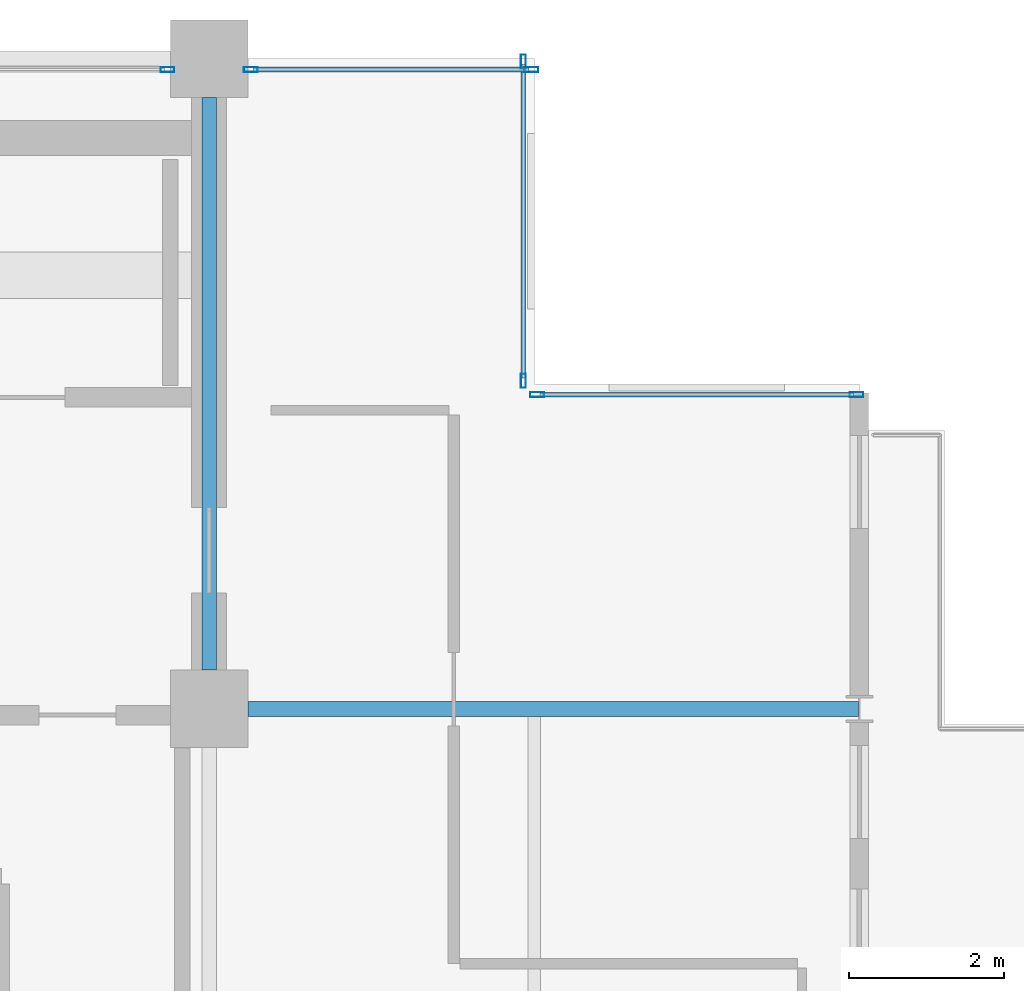
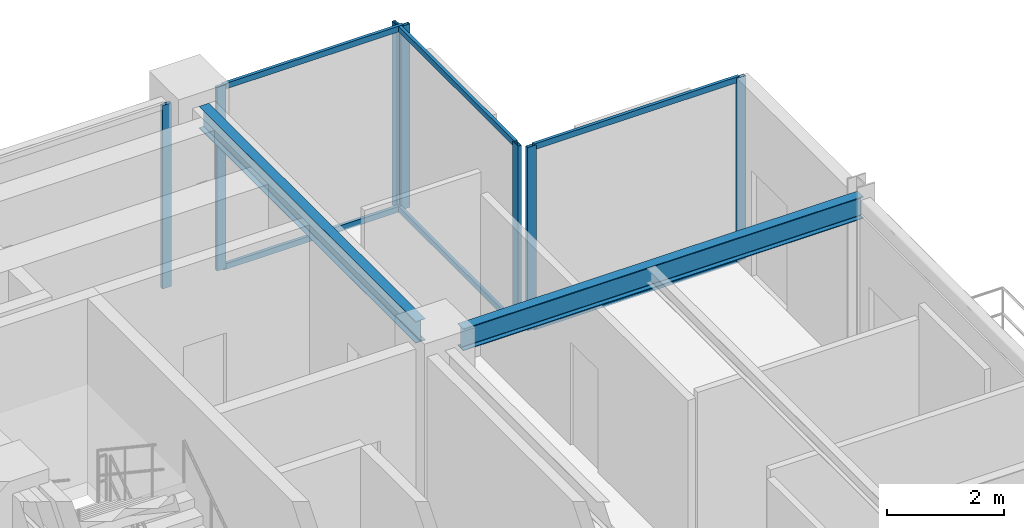
# One storey, part 18 of 25: 13 members, 2 beams, 4 elements without a shape of their own.
"""IFC4 building model written with IfcOpenShell, lengths in metres."""

from ifc_helpers import new_model, si_unit, direction, frame, origin, origin_2d, place, context, subcontext, project, spatial, hollow_rectangle, i_section, extrude, material, layer, layer_set, material_profile, profile_set, type_object, element, aggregate, save


model = new_model("IFC4")

# Units and contexts
model_context = context("Model", 3, precision=1e-05, world=origin(), true_north=direction((0.0, 1.0)))
body_context = subcontext(model_context, "Body", "Model", "MODEL_VIEW")
ifc_project = project(units=[si_unit("LENGTHUNIT", "METRE"), si_unit("AREAUNIT", "SQUARE_METRE"), si_unit("VOLUMEUNIT", "CUBIC_METRE"), si_unit("PLANEANGLEUNIT", "RADIAN"), si_unit("MASSUNIT", "GRAM", prefix="KILO")], contexts=[model_context])

# Site, building, storey
site_placement = place(None, origin())
site = spatial("IfcSite", under=ifc_project, at=site_placement, CompositionType="ELEMENT")
building_placement = place(site_placement, origin())
building = spatial("IfcBuilding", under=site, at=building_placement, Name="Nerrivon Quay Data Exchange", CompositionType="ELEMENT")
storey_placement = place(building_placement, frame((0.0, 0.0, 237.0)))
storey = spatial("IfcBuildingStorey", under=building, at=storey_placement, Name="L56", CompositionType="ELEMENT", Elevation=237.0)

# Beams
ifc_material_1 = material(Name="Steel Grade 350", Category="steel")
ifc_material_profile_1 = material_profile(ifc_material_1, i_section(OverallWidth=0.19091796875, OverallDepth=0.4599609375, WebThickness=0.010009765625, FlangeThickness=0.01611328125, FilletRadius=0.011474609375, at=origin_2d()), Name="460UB82.1")
ifc_profile_set_1 = profile_set([ifc_material_profile_1], Name="Steel Grade 350")
beam_type_1 = type_object("IfcBeamType", Name="BM-G5-460UB82", PredefinedType="BEAM", material=ifc_profile_set_1)
beam_1_placement = place(storey_placement, frame((17.300048828125, 33.60009765625, 3.594970703125), z_axis=(1.0, 0.0, 0.0), x_axis=(0.0, 1.0, 0.0)))
element("IfcBeam", 1, at=beam_1_placement, inside=storey, type_object=beam_type_1, Name="L56 EW Girder Y=33.6 (16.8..25.2)", PredefinedType="BEAM", context=body_context, shape_type="SweptSolid", body=[
    extrude(i_section(OverallWidth=0.19091796875, OverallDepth=0.4599609375, WebThickness=0.010009765625, FlangeThickness=0.01611328125, FilletRadius=0.011474609375, at=origin_2d()), origin(), (0.0, 0.0, 1.0), 7.889892578125),
])
ifc_material_profile_2 = material_profile(ifc_material_1, i_section(OverallWidth=0.18994140625, OverallDepth=0.4541015625, WebThickness=0.008544921875, FlangeThickness=0.0126953125, FilletRadius=0.011474609375, at=origin_2d()), Name="460UB67.1")
ifc_profile_set_2 = profile_set([ifc_material_profile_2], Name="Steel Grade 350")
beam_type_2 = type_object("IfcBeamType", Name="BM-G6-460UB67", PredefinedType="BEAM", material=ifc_profile_set_2)
beam_2_placement = place(storey_placement, frame((16.800048828125, 34.10009765625, 3.597900390625), z_axis=(0.0, 1.0, 0.0), x_axis=(-1.0, 0.0, 0.0)))
element("IfcBeam", 2, at=beam_2_placement, inside=storey, type_object=beam_type_2, Name="L56 NS Girder X=16.8 (33.6..42.0)", PredefinedType="BEAM", context=body_context, shape_type="SweptSolid", body=[
    extrude(i_section(OverallWidth=0.18994140625, OverallDepth=0.4541015625, WebThickness=0.008544921875, FlangeThickness=0.0126953125, FilletRadius=0.011474609375, at=origin_2d()), origin(), (0.0, 0.0, 1.0), 7.39990234375),
])

# Curtain wall, member
ifc_material_2 = material(Name="Anodised aluminium 6063-T6", Category="aluminium")
ifc_layer = layer(ifc_material_2, 0.195068359375)
ifc_layer_set = layer_set([ifc_layer], Name="Anodised aluminium 6063-T6")
curtain_wall_type = type_object("IfcCurtainWallType", Name="CW-SYS-06", PredefinedType="NOTDEFINED", material=ifc_layer_set)
curtain_wall_1_placement = place(storey_placement, origin())
curtain_wall_1 = element("IfcCurtainWall", 3, at=curtain_wall_1_placement, inside=storey, type_object=curtain_wall_type, Name="L56 Unitised Curtain Wall 18", PredefinedType="NOTDEFINED")
ifc_material_profile_3 = material_profile(ifc_material_2, hollow_rectangle(XDim=0.06494140625, YDim=0.179931640625, WallThickness=0.00341796875, at=origin_2d()), Name="ALU-MULL-180x65")
ifc_profile_set_3 = profile_set([ifc_material_profile_3], Name="Anodised aluminium 6063-T6")
member_type_1 = type_object("IfcMemberType", Name="CWM-180x65", PredefinedType="MULLION", material=ifc_profile_set_3)
member_1_placement = place(storey_placement, frame((16.262451171875, 41.860107421875, 0.0), z_axis=(0.0, 0.0, 1.0), x_axis=(0.0, 1.0, 0.0)))
member_1 = element("IfcMember", 4, at=member_1_placement, type_object=member_type_1, Name="CW06 mullion 2", PredefinedType="MULLION", context=body_context, shape_type="SweptSolid", body=[
    extrude(hollow_rectangle(XDim=0.06494140625, YDim=0.179931640625, WallThickness=0.00341796875, at=origin_2d()), origin(), (0.0, 0.0, 1.0), 3.824951171875),
])
aggregate(curtain_wall_1, [member_1])

# Curtain wall, members
curtain_wall_2_placement = place(storey_placement, origin())
curtain_wall_2 = element("IfcCurtainWall", 5, at=curtain_wall_2_placement, inside=storey, type_object=curtain_wall_type, Name="L56 Unitised Curtain Wall 19", PredefinedType="NOTDEFINED")
member_2_placement = place(storey_placement, frame((17.33740234375, 41.860107421875, 0.0), z_axis=(0.0, 0.0, 1.0), x_axis=(0.0, 1.0, 0.0)))
member_2 = element("IfcMember", 6, at=member_2_placement, type_object=member_type_1, Name="CW06 mullion 1", PredefinedType="MULLION", context=body_context, shape_type="SweptSolid", body=[
    extrude(hollow_rectangle(XDim=0.06494140625, YDim=0.179931640625, WallThickness=0.00341796875, at=origin_2d()), origin(), (0.0, 0.0, 1.0), 3.824951171875),
])
member_3_placement = place(storey_placement, frame((20.96240234375, 41.860107421875, 0.0), z_axis=(0.0, 0.0, 1.0), x_axis=(0.0, 1.0, 0.0)))
member_3 = element("IfcMember", 7, at=member_3_placement, type_object=member_type_1, Name="CW06 mullion 2", PredefinedType="MULLION", context=body_context, shape_type="SweptSolid", body=[
    extrude(hollow_rectangle(XDim=0.06494140625, YDim=0.179931640625, WallThickness=0.00341796875, at=origin_2d()), origin(), (0.0, 0.0, 1.0), 3.824951171875),
])

curtain_wall_3_placement = place(storey_placement, origin())
curtain_wall_3 = element("IfcCurtainWall", 8, at=curtain_wall_3_placement, inside=storey, type_object=curtain_wall_type, Name="L56 Unitised Curtain Wall 20", PredefinedType="NOTDEFINED")
member_4_placement = place(storey_placement, frame((20.860107421875, 41.96240234375, 0.0), z_axis=(0.0, 0.0, 1.0), x_axis=(1.0, 0.0, 0.0)))
member_4 = element("IfcMember", 9, at=member_4_placement, type_object=member_type_1, Name="CW06 mullion 1", PredefinedType="MULLION", context=body_context, shape_type="SweptSolid", body=[
    extrude(hollow_rectangle(XDim=0.06494140625, YDim=0.179931640625, WallThickness=0.00341796875, at=origin_2d()), origin(), (0.0, 0.0, 1.0), 3.824951171875),
])
member_5_placement = place(storey_placement, frame((20.860107421875, 37.83740234375, 0.0), z_axis=(0.0, 0.0, 1.0), x_axis=(1.0, 0.0, 0.0)))
member_5 = element("IfcMember", 10, at=member_5_placement, type_object=member_type_1, Name="CW06 mullion 2", PredefinedType="MULLION", context=body_context, shape_type="SweptSolid", body=[
    extrude(hollow_rectangle(XDim=0.06494140625, YDim=0.179931640625, WallThickness=0.00341796875, at=origin_2d()), origin(), (0.0, 0.0, 1.0), 3.824951171875),
])

curtain_wall_4_placement = place(storey_placement, origin())
curtain_wall_4 = element("IfcCurtainWall", 11, at=curtain_wall_4_placement, inside=storey, type_object=curtain_wall_type, Name="L56 Unitised Curtain Wall 21", PredefinedType="NOTDEFINED")
member_6_placement = place(storey_placement, frame((21.03759765625, 37.659912109375, 0.0), z_axis=(0.0, 0.0, 1.0), x_axis=(0.0, 1.0, 0.0)))
member_6 = element("IfcMember", 12, at=member_6_placement, type_object=member_type_1, Name="CW06 mullion 1", PredefinedType="MULLION", context=body_context, shape_type="SweptSolid", body=[
    extrude(hollow_rectangle(XDim=0.06494140625, YDim=0.179931640625, WallThickness=0.00341796875, at=origin_2d()), origin(), (0.0, 0.0, 1.0), 3.824951171875),
])
member_7_placement = place(storey_placement, frame((25.16259765625, 37.659912109375, 0.0), z_axis=(0.0, 0.0, 1.0), x_axis=(0.0, 1.0, 0.0)))
member_7 = element("IfcMember", 13, at=member_7_placement, type_object=member_type_1, Name="CW06 mullion 2", PredefinedType="MULLION", context=body_context, shape_type="SweptSolid", body=[
    extrude(hollow_rectangle(XDim=0.06494140625, YDim=0.179931640625, WallThickness=0.00341796875, at=origin_2d()), origin(), (0.0, 0.0, 1.0), 3.824951171875),
])

# Member
ifc_material_profile_4 = material_profile(ifc_material_2, hollow_rectangle(XDim=0.06005859375, YDim=0.1201171875, WallThickness=0.003173828125, at=origin_2d()), Name="ALU-TRAN-120x60")
ifc_profile_set_4 = profile_set([ifc_material_profile_4], Name="Anodised aluminium 6063-T6")
member_type_2 = type_object("IfcMemberType", Name="CWT-120x60", PredefinedType="USERDEFINED", material=ifc_profile_set_4)
member_8_placement = place(storey_placement, frame((17.375, 41.860107421875, 0.032470703125), z_axis=(1.0, 0.0, 0.0), x_axis=(0.0, 1.0, 0.0)))
member_8 = element("IfcMember", 14, at=member_8_placement, type_object=member_type_2, Name="CW06 transom 1.1", ObjectType="TRANSOM", PredefinedType="USERDEFINED", context=body_context, shape_type="SweptSolid", body=[
    extrude(hollow_rectangle(XDim=0.06005859375, YDim=0.1201171875, WallThickness=0.003173828125, at=origin_2d()), origin(), (0.0, 0.0, 1.0), 3.550048828125),
])

member_9_placement = place(storey_placement, frame((17.375, 41.860107421875, 3.79248046875), z_axis=(1.0, 0.0, 0.0), x_axis=(0.0, 1.0, 0.0)))
member_9 = element("IfcMember", 15, at=member_9_placement, type_object=member_type_2, Name="CW06 transom 1.2", ObjectType="TRANSOM", PredefinedType="USERDEFINED", context=body_context, shape_type="SweptSolid", body=[
    extrude(hollow_rectangle(XDim=0.06005859375, YDim=0.1201171875, WallThickness=0.003173828125, at=origin_2d()), origin(), (0.0, 0.0, 1.0), 3.550048828125),
])

aggregate(curtain_wall_2, [member_2, member_3, member_8, member_9])

member_10_placement = place(storey_placement, frame((20.860107421875, 41.925048828125, 0.032470703125), z_axis=(0.0, -1.0, 0.0), x_axis=(1.0, 0.0, 0.0)))
member_10 = element("IfcMember", 16, at=member_10_placement, type_object=member_type_2, Name="CW06 transom 1.1", ObjectType="TRANSOM", PredefinedType="USERDEFINED", context=body_context, shape_type="SweptSolid", body=[
    extrude(hollow_rectangle(XDim=0.06005859375, YDim=0.1201171875, WallThickness=0.003173828125, at=origin_2d()), origin(), (0.0, 0.0, 1.0), 4.050048828125),
])

member_11_placement = place(storey_placement, frame((20.860107421875, 41.925048828125, 3.79248046875), z_axis=(0.0, -1.0, 0.0), x_axis=(1.0, 0.0, 0.0)))
member_11 = element("IfcMember", 17, at=member_11_placement, type_object=member_type_2, Name="CW06 transom 1.2", ObjectType="TRANSOM", PredefinedType="USERDEFINED", context=body_context, shape_type="SweptSolid", body=[
    extrude(hollow_rectangle(XDim=0.06005859375, YDim=0.1201171875, WallThickness=0.003173828125, at=origin_2d()), origin(), (0.0, 0.0, 1.0), 4.050048828125),
])

aggregate(curtain_wall_3, [member_4, member_5, member_10, member_11])

member_12_placement = place(storey_placement, frame((21.074951171875, 37.659912109375, 0.032470703125), z_axis=(1.0, 0.0, 0.0), x_axis=(0.0, 1.0, 0.0)))
member_12 = element("IfcMember", 18, at=member_12_placement, type_object=member_type_2, Name="CW06 transom 1.1", ObjectType="TRANSOM", PredefinedType="USERDEFINED", context=body_context, shape_type="SweptSolid", body=[
    extrude(hollow_rectangle(XDim=0.06005859375, YDim=0.1201171875, WallThickness=0.003173828125, at=origin_2d()), origin(), (0.0, 0.0, 1.0), 4.050048828125),
])

member_13_placement = place(storey_placement, frame((21.074951171875, 37.659912109375, 3.79248046875), z_axis=(1.0, 0.0, 0.0), x_axis=(0.0, 1.0, 0.0)))
member_13 = element("IfcMember", 19, at=member_13_placement, type_object=member_type_2, Name="CW06 transom 1.2", ObjectType="TRANSOM", PredefinedType="USERDEFINED", context=body_context, shape_type="SweptSolid", body=[
    extrude(hollow_rectangle(XDim=0.06005859375, YDim=0.1201171875, WallThickness=0.003173828125, at=origin_2d()), origin(), (0.0, 0.0, 1.0), 4.050048828125),
])

aggregate(curtain_wall_4, [member_6, member_7, member_12, member_13])

save(model, "model.ifc")
